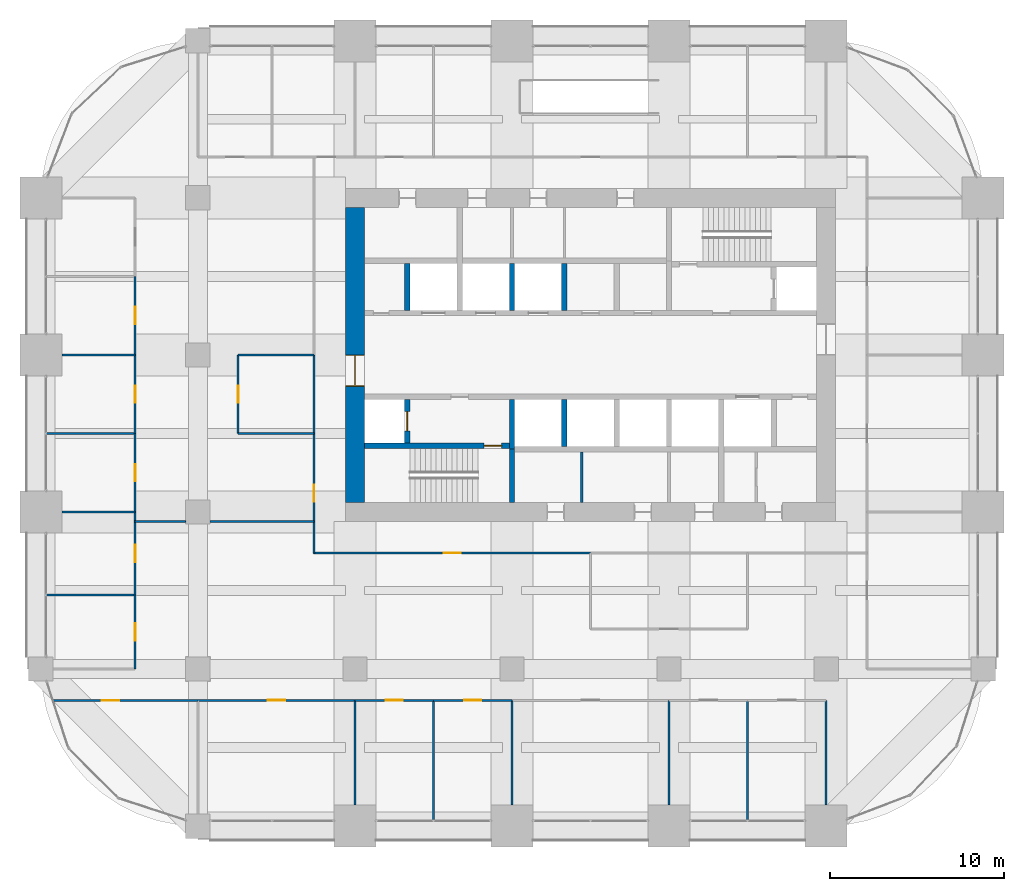
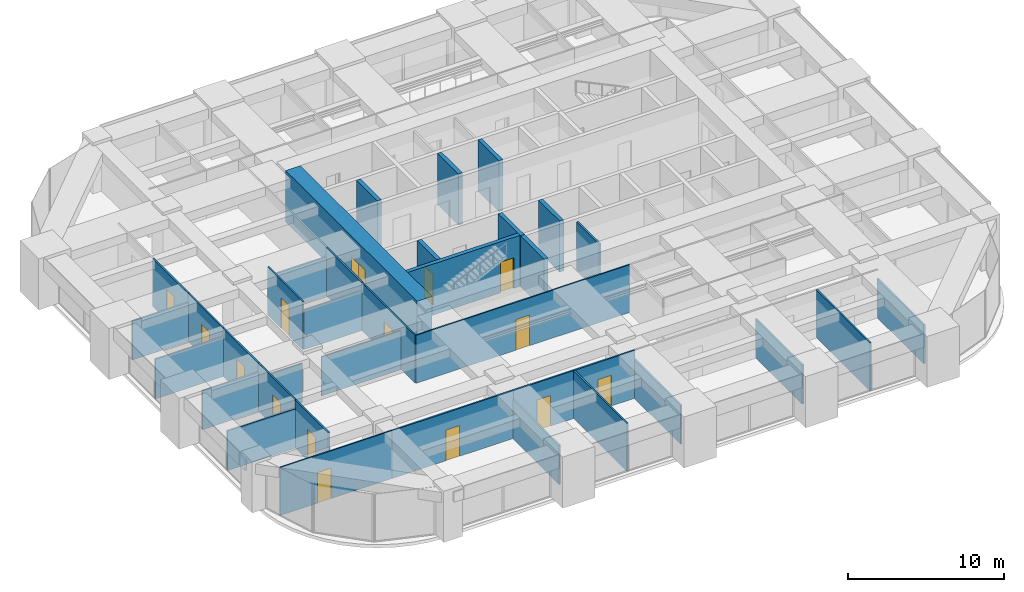
# One storey, part 30 of 35: 37 walls, 15 doors, 15 openings.
"""IFC4 building model written with IfcOpenShell, lengths in metres."""

from ifc_helpers import new_model, si_unit, direction, frame, frame_2d, origin, place, context, subcontext, project, spatial, rectangle, extrude, material, layer, layer_set, type_object, element, fill, save


model = new_model("IFC4")

# Units and contexts
model_context = context("Model", 3, precision=1e-05, world=origin(), true_north=direction((0.0, 1.0)))
body_context = subcontext(model_context, "Body", "Model", "MODEL_VIEW")
ifc_project = project(units=[si_unit("LENGTHUNIT", "METRE"), si_unit("AREAUNIT", "SQUARE_METRE"), si_unit("VOLUMEUNIT", "CUBIC_METRE"), si_unit("PLANEANGLEUNIT", "RADIAN"), si_unit("MASSUNIT", "GRAM", prefix="KILO")], contexts=[model_context])

# Site, building, storey
site_placement = place(None, origin())
site = spatial("IfcSite", under=ifc_project, at=site_placement, CompositionType="ELEMENT")
building_placement = place(site_placement, origin())
building = spatial("IfcBuilding", under=site, at=building_placement, Name="Zorevar Civic Tower", CompositionType="ELEMENT")
storey_placement = place(building_placement, frame((0.0, 0.0, 218.199951171875)))
storey = spatial("IfcBuildingStorey", under=building, at=storey_placement, Name="L53", CompositionType="ELEMENT", Elevation=218.199951171875)

# Wall, opening, door
ifc_material_1 = material(Name="Concrete C50/60", Category="concrete")
ifc_layer_1 = layer(ifc_material_1, 1.10009765625)
ifc_layer_set_1 = layer_set([ifc_layer_1], Name="Core wall 1100")
wall_type_1 = type_object("IfcWallType", Name="Core wall 1100", PredefinedType="SHEAR", material=ifc_layer_set_1)
wall_1_placement = place(storey_placement, frame((18.0, 35.449951171875, 0.0), z_axis=(0.0, 0.0, 1.0), x_axis=(0.0, -1.0, 0.0)))
wall_1 = element("IfcWall", 1, at=wall_1_placement, inside=storey, type_object=wall_type_1, Name="Core wall W L53", PredefinedType="SHEAR", context=body_context, shape_type="SweptSolid", body=[
    extrude(rectangle(XDim=16.89990234375, YDim=1.10009765625, at=frame_2d((8.449951171875, 0.0))), origin(), (0.0, 0.0, 1.0), 4.0),
])
opening_1_placement = place(wall_1_placement, frame((8.449951171875, 0.0, 0.0)))
opening_1 = element("IfcOpeningElement", 2, at=opening_1_placement, cuts=wall_1, Name="Opening L53.01", PredefinedType="OPENING", context=body_context, shape_type="SweptSolid", body=[
    extrude(rectangle(XDim=1.800048828125, YDim=2.39990234375, at=frame_2d((0.89990234375, 1.199951171875))), frame((0.0, 0.56005859375, 0.0), z_axis=(0.0, -1.0, 0.0), x_axis=(1.0, 0.0, 0.0)), (0.0, 0.0, 1.0), 1.1201171875),
])
ifc_material_2 = material(Name="Steel door set", Category="steel")
door_type_1 = type_object("IfcDoorType", Name="Fire door FD2 1800x2400", OperationType="DOUBLE_DOOR_DOUBLE_SWING", PredefinedType="DOOR", material=ifc_material_2)
door_1_placement = place(opening_1_placement, origin())
door_1 = element("IfcDoor", 3, at=door_1_placement, inside=storey, type_object=door_type_1, Name="Door L53 00", OperationType="DOUBLE_DOOR_DOUBLE_SWING", OverallHeight=2.39990234375, OverallWidth=1.800048828125, PredefinedType="DOOR", context=body_context, shape_type="SweptSolid", body=[
    extrude(rectangle(XDim=1.800048828125, YDim=2.39990234375, at=frame_2d((0.89990234375, 1.199951171875))), frame((0.0, 0.030029296875, 0.0), z_axis=(0.0, -1.0, 0.0), x_axis=(1.0, 0.0, 0.0)), (0.0, 0.0, 1.0), 0.06005859375),
    extrude(rectangle(XDim=0.04, YDim=2.39990234375, at=frame_2d((0.02001953125, 1.199951171875))), frame((0.0, 0.5498046875, 0.0), z_axis=(0.0, -1.0, 0.0), x_axis=(1.0, 0.0, 0.0)), (0.0, 0.0, 1.0), 1.099609375),
    extrude(rectangle(XDim=0.04, YDim=2.39990234375, at=frame_2d((1.780029296875, 1.199951171875))), frame((0.0, 0.5498046875, 0.0), z_axis=(0.0, -1.0, 0.0), x_axis=(1.0, 0.0, 0.0)), (0.0, 0.0, 1.0), 1.099609375),
    extrude(rectangle(XDim=1.800048828125, YDim=0.04, at=frame_2d((0.89990234375, 2.3798828125))), frame((0.0, 0.5498046875, 0.0), z_axis=(0.0, -1.0, 0.0), x_axis=(1.0, 0.0, 0.0)), (0.0, 0.0, 1.0), 1.099609375),
])
fill(opening_1, door_1)

ifc_material_3 = material(Name="Laminated glass in black aluminium frame", Category="aluminium")
ifc_layer_2 = layer(ifc_material_3, 0.10009765625)
ifc_layer_set_2 = layer_set([ifc_layer_2], Name="Glazed partition 100")
wall_type_2 = type_object("IfcWallType", Name="Glazed partition 100", PredefinedType="PARTITIONING", material=ifc_layer_set_2)
wall_2_placement = place(storey_placement, frame((0.720458984375, 7.199951171875, 0.0), z_axis=(0.0, 0.0, 1.0), x_axis=(1.0, 0.0, 0.0)))
wall_2 = element("IfcWall", 4, at=wall_2_placement, inside=storey, type_object=wall_type_2, Name="Glazed partition 100 L53", PredefinedType="PARTITIONING", context=body_context, shape_type="SweptSolid", body=[
    extrude(rectangle(XDim=8.279541015625, YDim=0.10009765625, at=frame_2d((4.1396484375, 0.0))), origin(), (0.0, 0.0, 1.0), 3.75),
])
opening_2_placement = place(wall_2_placement, frame((2.779541015625, 0.0, 0.0)))
opening_2 = element("IfcOpeningElement", 5, at=opening_2_placement, cuts=wall_2, Name="Opening L53.23", PredefinedType="OPENING", context=body_context, shape_type="SweptSolid", body=[
    extrude(rectangle(XDim=1.0, YDim=2.39990234375, at=frame_2d((0.5, 1.199951171875))), frame((0.0, 0.06005859375, 0.0), z_axis=(0.0, -1.0, 0.0), x_axis=(1.0, 0.0, 0.0)), (0.0, 0.0, 1.0), 0.1201171875),
])
ifc_material_4 = material(Name="Timber door set", Category="wood")
door_type_2 = type_object("IfcDoorType", Name="Glazed door GD1 1000x2400", OperationType="SINGLE_SWING_LEFT", PredefinedType="DOOR", material=ifc_material_4)
door_2_placement = place(opening_2_placement, origin())
door_2 = element("IfcDoor", 6, at=door_2_placement, inside=storey, type_object=door_type_2, Name="Door L53 D1", OperationType="SINGLE_SWING_RIGHT", OverallHeight=2.39990234375, OverallWidth=1.0, PredefinedType="DOOR", context=body_context, shape_type="SweptSolid", body=[
    extrude(rectangle(XDim=1.0, YDim=2.39990234375, at=frame_2d((0.5, 1.199951171875))), frame((0.0, 0.02001953125, 0.0), z_axis=(0.0, -1.0, 0.0), x_axis=(1.0, 0.0, 0.0)), (0.0, 0.0, 1.0), 0.0400390625),
])
fill(opening_2, door_2)

wall_3_placement = place(storey_placement, frame((15.64990234375, 15.64990234375, 0.0), z_axis=(0.0, 0.0, 1.0), x_axis=(1.0, 0.0, 0.0)))
wall_3 = element("IfcWall", 7, at=wall_3_placement, inside=storey, type_object=wall_type_2, Name="Glazed partition 100 L53", PredefinedType="PARTITIONING", context=body_context, shape_type="SweptSolid", body=[
    extrude(rectangle(XDim=15.85009765625, YDim=0.10009765625, at=frame_2d((7.925048828125, 0.0))), origin(), (0.0, 0.0, 1.0), 3.75),
])
opening_3_placement = place(wall_3_placement, frame((7.425048828125, 0.0, 0.0)))
opening_3 = element("IfcOpeningElement", 8, at=opening_3_placement, cuts=wall_3, Name="Opening L53.25", PredefinedType="OPENING", context=body_context, shape_type="SweptSolid", body=[
    extrude(rectangle(XDim=1.0, YDim=2.39990234375, at=frame_2d((0.5, 1.199951171875))), frame((0.0, 0.06005859375, 0.0), z_axis=(0.0, -1.0, 0.0), x_axis=(1.0, 0.0, 0.0)), (0.0, 0.0, 1.0), 0.1201171875),
])
door_3_placement = place(opening_3_placement, origin())
door_3 = element("IfcDoor", 9, at=door_3_placement, inside=storey, type_object=door_type_2, Name="Door L53 D1", OperationType="SINGLE_SWING_RIGHT", OverallHeight=2.39990234375, OverallWidth=1.0, PredefinedType="DOOR", context=body_context, shape_type="SweptSolid", body=[
    extrude(rectangle(XDim=1.0, YDim=2.39990234375, at=frame_2d((0.5, 1.199951171875))), frame((0.0, 0.02001953125, 0.0), z_axis=(0.0, -1.0, 0.0), x_axis=(1.0, 0.0, 0.0)), (0.0, 0.0, 1.0), 0.0400390625),
])
fill(opening_3, door_3)

# Walls
wall_4_placement = place(storey_placement, frame((5.389892578125, 17.449951171875, 0.0), z_axis=(0.0, 0.0, 1.0), x_axis=(1.0, 0.0, 0.0)))
element("IfcWall", 10, at=wall_4_placement, inside=storey, type_object=wall_type_2, Name="Glazed partition 100 L53", PredefinedType="PARTITIONING", context=body_context, shape_type="SweptSolid", body=[
    extrude(rectangle(XDim=2.91015625, YDim=0.10009765625, at=frame_2d((1.455078125, 0.0))), origin(), (0.0, 0.0, 1.0), 3.050048828125),
])
wall_5_placement = place(storey_placement, frame((9.699951171875, 17.449951171875, 0.0), z_axis=(0.0, 0.0, 1.0), x_axis=(1.0, 0.0, 0.0)))
element("IfcWall", 11, at=wall_5_placement, inside=storey, type_object=wall_type_2, Name="Glazed partition 100 L53", PredefinedType="PARTITIONING", context=body_context, shape_type="SweptSolid", body=[
    extrude(rectangle(XDim=5.949951171875, YDim=0.10009765625, at=frame_2d((2.97509765625, 0.0))), origin(), (0.0, 0.0, 1.0), 3.050048828125),
])

# Wall, opening, door
wall_6_placement = place(storey_placement, frame((15.64990234375, 15.64990234375, 0.0), z_axis=(0.0, 0.0, 1.0), x_axis=(0.0, 1.0, 0.0)))
wall_6 = element("IfcWall", 12, at=wall_6_placement, inside=storey, type_object=wall_type_2, Name="Glazed partition 100 L53", PredefinedType="PARTITIONING", context=body_context, shape_type="SweptSolid", body=[
    extrude(rectangle(XDim=6.85009765625, YDim=0.10009765625, at=frame_2d((3.425048828125, 0.0))), origin(), (0.0, 0.0, 1.0), 3.75),
])
opening_4_placement = place(wall_6_placement, frame((2.925048828125, 0.0, 0.0)))
opening_4 = element("IfcOpeningElement", 13, at=opening_4_placement, cuts=wall_6, Name="Opening L53.39", PredefinedType="OPENING", context=body_context, shape_type="SweptSolid", body=[
    extrude(rectangle(XDim=1.0, YDim=2.39990234375, at=frame_2d((0.5, 1.199951171875))), frame((0.0, 0.06005859375, 0.0), z_axis=(0.0, -1.0, 0.0), x_axis=(1.0, 0.0, 0.0)), (0.0, 0.0, 1.0), 0.1201171875),
])
door_4_placement = place(opening_4_placement, origin())
door_4 = element("IfcDoor", 14, at=door_4_placement, inside=storey, type_object=door_type_2, Name="Door L53 D1", OperationType="SINGLE_SWING_RIGHT", OverallHeight=2.39990234375, OverallWidth=1.0, PredefinedType="DOOR", context=body_context, shape_type="SweptSolid", body=[
    extrude(rectangle(XDim=1.0, YDim=2.39990234375, at=frame_2d((0.5, 1.199951171875))), frame((0.0, 0.02001953125, 0.0), z_axis=(0.0, -1.0, 0.0), x_axis=(1.0, 0.0, 0.0)), (0.0, 0.0, 1.0), 0.0400390625),
])
fill(opening_4, door_4)

ifc_material_5 = material(Name="Concrete C40/50", Category="concrete")
ifc_layer_3 = layer(ifc_material_5, 0.300048828125)
ifc_layer_set_3 = layer_set([ifc_layer_3], Name="Inner core wall 300")
wall_type_3 = type_object("IfcWallType", Name="Inner core wall 300", PredefinedType="SHEAR", material=ifc_layer_set_3)
wall_7_placement = place(storey_placement, frame((18.550048828125, 21.800048828125, 0.0), z_axis=(0.0, 0.0, 1.0), x_axis=(1.0, 0.0, 0.0)))
wall_7 = element("IfcWall", 15, at=wall_7_placement, inside=storey, type_object=wall_type_3, Name="Inner core wall S00 L53", PredefinedType="SHEAR", context=body_context, shape_type="SweptSolid", body=[
    extrude(rectangle(XDim=8.300048828125, YDim=0.300048828125, at=frame_2d((4.14990234375, 0.0))), origin(), (0.0, 0.0, 1.0), 4.0),
])
opening_5_placement = place(wall_7_placement, frame((6.85009765625, 0.0, 0.0)))
opening_5 = element("IfcOpeningElement", 16, at=opening_5_placement, cuts=wall_7, Name="Opening L53.11", PredefinedType="OPENING", context=body_context, shape_type="SweptSolid", body=[
    extrude(rectangle(XDim=1.0, YDim=2.39990234375, at=frame_2d((0.5, 1.199951171875))), frame((0.0, 0.159912109375, 0.0), z_axis=(0.0, -1.0, 0.0), x_axis=(1.0, 0.0, 0.0)), (0.0, 0.0, 1.0), 0.320068359375),
])
ifc_material_6 = material(Name="Steel door set", Category="steel")
door_type_3 = type_object("IfcDoorType", Name="Fire door FD1 1000x2400", OperationType="SINGLE_SWING_LEFT", PredefinedType="DOOR", material=ifc_material_6)
door_5_placement = place(opening_5_placement, origin())
door_5 = element("IfcDoor", 17, at=door_5_placement, inside=storey, type_object=door_type_3, Name="Door L53 10", OperationType="SINGLE_SWING_RIGHT", OverallHeight=2.39990234375, OverallWidth=1.0, PredefinedType="DOOR", context=body_context, shape_type="SweptSolid", body=[
    extrude(rectangle(XDim=1.0, YDim=2.39990234375, at=frame_2d((0.5, 1.199951171875))), frame((0.0, 0.030029296875, 0.0), z_axis=(0.0, -1.0, 0.0), x_axis=(1.0, 0.0, 0.0)), (0.0, 0.0, 1.0), 0.06005859375),
])
fill(opening_5, door_5)

# Wall
wall_8_placement = place(storey_placement, frame((27.0, 18.550048828125, 0.0), z_axis=(0.0, 0.0, 1.0), x_axis=(0.0, 1.0, 0.0)))
element("IfcWall", 18, at=wall_8_placement, inside=storey, type_object=wall_type_3, Name="Inner core wall S01 L53", PredefinedType="SHEAR", context=body_context, shape_type="SweptSolid", body=[
    extrude(rectangle(XDim=3.050048828125, YDim=0.300048828125, at=frame_2d((1.52490234375, 0.0))), origin(), (0.0, 0.0, 1.0), 4.0),
])

# Wall, opening, door
wall_9_placement = place(storey_placement, frame((21.0, 21.949951171875, 0.0), z_axis=(0.0, 0.0, 1.0), x_axis=(0.0, 1.0, 0.0)))
wall_9 = element("IfcWall", 19, at=wall_9_placement, inside=storey, type_object=wall_type_3, Name="Inner core wall S02 L53", PredefinedType="SHEAR", context=body_context, shape_type="SweptSolid", body=[
    extrude(rectangle(XDim=2.5, YDim=0.300048828125, at=frame_2d((1.25, 0.0))), origin(), (0.0, 0.0, 1.0), 4.0),
])
opening_6_placement = place(wall_9_placement, frame((0.699951171875, 0.0, 0.0)))
opening_6 = element("IfcOpeningElement", 20, at=opening_6_placement, cuts=wall_9, Name="Opening L53.FL1", PredefinedType="OPENING", context=body_context, shape_type="SweptSolid", body=[
    extrude(rectangle(XDim=1.10009765625, YDim=2.39990234375, at=frame_2d((0.550048828125, 1.199951171875))), frame((0.0, 0.159912109375, 0.0), z_axis=(0.0, -1.0, 0.0), x_axis=(1.0, 0.0, 0.0)), (0.0, 0.0, 1.0), 0.320068359375),
])
ifc_material_7 = material(Name="Steel door set", Category="steel")
door_type_4 = type_object("IfcDoorType", Name="Firefighting lift landing door LD3 1100x2400", OperationType="DOUBLE_DOOR_SLIDING", PredefinedType="DOOR", material=ifc_material_7)
door_6_placement = place(opening_6_placement, origin())
door_6 = element("IfcDoor", 21, at=door_6_placement, inside=storey, type_object=door_type_4, Name="Landing door FL1 L53", OperationType="DOUBLE_DOOR_SLIDING", OverallHeight=2.39990234375, OverallWidth=1.10009765625, PredefinedType="DOOR", context=body_context, shape_type="SweptSolid", body=[
    extrude(rectangle(XDim=1.10009765625, YDim=2.39990234375, at=frame_2d((0.550048828125, 1.199951171875))), frame((0.0, 0.030029296875, 0.0), z_axis=(0.0, -1.0, 0.0), x_axis=(1.0, 0.0, 0.0)), (0.0, 0.0, 1.0), 0.06005859375),
])
fill(opening_6, door_6)

# Walls
for number, where, z_axis, x_axis, name in (
    (22, (30.0, 21.75, 0.0), (0.0, 0.0, 1.0), (0.0, 1.0, 0.0), "Inner core wall S05 L53"),
    (23, (30.0, 29.550048828125, 0.0), (0.0, 0.0, 1.0), (0.0, 1.0, 0.0), "Inner core wall N06 L53"),
    (24, (27.0, 29.550048828125, 0.0), (0.0, 0.0, 1.0), (0.0, 1.0, 0.0), "Inner core wall N07 L53"),
    (25, (21.0, 29.550048828125, 0.0), (0.0, 0.0, 1.0), (0.0, 1.0, 0.0), "Inner core wall N09 L53"),
):
    element("IfcWall", number, at=place(storey_placement, frame(where, z_axis=z_axis, x_axis=x_axis)), inside=storey, type_object=wall_type_3, Name=name, PredefinedType="SHEAR", context=body_context, shape_type="SweptSolid", body=[
        extrude(rectangle(XDim=2.699951171875, YDim=0.300048828125, at=frame_2d((1.35009765625, 0.0))), origin(), (0.0, 0.0, 1.0), 4.0),
    ])
wall_10_placement = place(storey_placement, frame((27.0, 21.60009765625, 0.0), z_axis=(0.0, 0.0, 1.0), x_axis=(0.0, 1.0, 0.0)))
element("IfcWall", 26, at=wall_10_placement, inside=storey, type_object=wall_type_3, Name="Inner core wall S10 L53", PredefinedType="SHEAR", context=body_context, shape_type="SweptSolid", body=[
    extrude(rectangle(XDim=2.849853515625, YDim=0.300048828125, at=frame_2d((1.4248046875, 0.0))), origin(), (0.0, 0.0, 1.0), 4.0),
])

# Wall, opening, door
ifc_material_8 = material(Name="Gypsum board on steel studs", Category="steel")
ifc_layer_4 = layer(ifc_material_8, 0.1201171875)
ifc_layer_set_4 = layer_set([ifc_layer_4], Name="Partition 120")
wall_type_4 = type_object("IfcWallType", Name="Partition 120", PredefinedType="PARTITIONING", material=ifc_layer_set_4)
wall_11_placement = place(storey_placement, frame((9.0, 7.199951171875, 0.0), z_axis=(0.0, 0.0, 1.0), x_axis=(1.0, 0.0, 0.0)))
wall_11 = element("IfcWall", 27, at=wall_11_placement, inside=storey, type_object=wall_type_4, Name="Partition 120 L53", PredefinedType="PARTITIONING", context=body_context, shape_type="SweptSolid", body=[
    extrude(rectangle(XDim=9.0, YDim=0.1201171875, at=frame_2d((4.5, 0.0))), origin(), (0.0, 0.0, 1.0), 3.75),
])
opening_7_placement = place(wall_11_placement, frame((4.0, 0.0, 0.0)))
opening_7 = element("IfcOpeningElement", 28, at=opening_7_placement, cuts=wall_11, Name="Opening L53.17", PredefinedType="OPENING", context=body_context, shape_type="SweptSolid", body=[
    extrude(rectangle(XDim=1.0, YDim=2.39990234375, at=frame_2d((0.5, 1.199951171875))), frame((0.0, 0.070068359375, 0.0), z_axis=(0.0, -1.0, 0.0), x_axis=(1.0, 0.0, 0.0)), (0.0, 0.0, 1.0), 0.14013671875),
])
ifc_material_9 = material(Name="Timber door set", Category="wood")
door_type_5 = type_object("IfcDoorType", Name="Door D1 1000x2400", OperationType="SINGLE_SWING_LEFT", PredefinedType="DOOR", material=ifc_material_9)
door_7_placement = place(opening_7_placement, origin())
door_7 = element("IfcDoor", 29, at=door_7_placement, inside=storey, type_object=door_type_5, Name="Door L53 D1", OperationType="SINGLE_SWING_RIGHT", OverallHeight=2.39990234375, OverallWidth=1.0, PredefinedType="DOOR", context=body_context, shape_type="SweptSolid", body=[
    extrude(rectangle(XDim=1.0, YDim=2.39990234375, at=frame_2d((0.5, 1.199951171875))), frame((0.0, 0.02490234375, 0.0), z_axis=(0.0, -1.0, 0.0), x_axis=(1.0, 0.0, 0.0)), (0.0, 0.0, 1.0), 0.050048828125),
])
fill(opening_7, door_7)

wall_12_placement = place(storey_placement, frame((18.0, 7.199951171875, 0.0), z_axis=(0.0, 0.0, 1.0), x_axis=(1.0, 0.0, 0.0)))
wall_12 = element("IfcWall", 30, at=wall_12_placement, inside=storey, type_object=wall_type_4, Name="Partition 120 L53", PredefinedType="PARTITIONING", context=body_context, shape_type="SweptSolid", body=[
    extrude(rectangle(XDim=4.5, YDim=0.1201171875, at=frame_2d((2.25, 0.0))), origin(), (0.0, 0.0, 1.0), 3.75),
])
opening_8_placement = place(wall_12_placement, frame((1.75, 0.0, 0.0)))
opening_8 = element("IfcOpeningElement", 31, at=opening_8_placement, cuts=wall_12, Name="Opening L53.18", PredefinedType="OPENING", context=body_context, shape_type="SweptSolid", body=[
    extrude(rectangle(XDim=1.0, YDim=2.39990234375, at=frame_2d((0.5, 1.199951171875))), frame((0.0, 0.070068359375, 0.0), z_axis=(0.0, -1.0, 0.0), x_axis=(1.0, 0.0, 0.0)), (0.0, 0.0, 1.0), 0.14013671875),
])
door_8_placement = place(opening_8_placement, origin())
door_8 = element("IfcDoor", 32, at=door_8_placement, inside=storey, type_object=door_type_5, Name="Door L53 D1", OperationType="SINGLE_SWING_RIGHT", OverallHeight=2.39990234375, OverallWidth=1.0, PredefinedType="DOOR", context=body_context, shape_type="SweptSolid", body=[
    extrude(rectangle(XDim=1.0, YDim=2.39990234375, at=frame_2d((0.5, 1.199951171875))), frame((0.0, 0.02490234375, 0.0), z_axis=(0.0, -1.0, 0.0), x_axis=(1.0, 0.0, 0.0)), (0.0, 0.0, 1.0), 0.050048828125),
])
fill(opening_8, door_8)

wall_13_placement = place(storey_placement, frame((22.5, 7.199951171875, 0.0), z_axis=(0.0, 0.0, 1.0), x_axis=(1.0, 0.0, 0.0)))
wall_13 = element("IfcWall", 33, at=wall_13_placement, inside=storey, type_object=wall_type_4, Name="Partition 120 L53", PredefinedType="PARTITIONING", context=body_context, shape_type="SweptSolid", body=[
    extrude(rectangle(XDim=4.5, YDim=0.1201171875, at=frame_2d((2.25, 0.0))), origin(), (0.0, 0.0, 1.0), 3.75),
])
opening_9_placement = place(wall_13_placement, frame((1.75, 0.0, 0.0)))
opening_9 = element("IfcOpeningElement", 34, at=opening_9_placement, cuts=wall_13, Name="Opening L53.19", PredefinedType="OPENING", context=body_context, shape_type="SweptSolid", body=[
    extrude(rectangle(XDim=1.0, YDim=2.39990234375, at=frame_2d((0.5, 1.199951171875))), frame((0.0, 0.070068359375, 0.0), z_axis=(0.0, -1.0, 0.0), x_axis=(1.0, 0.0, 0.0)), (0.0, 0.0, 1.0), 0.14013671875),
])
door_9_placement = place(opening_9_placement, origin())
door_9 = element("IfcDoor", 35, at=door_9_placement, inside=storey, type_object=door_type_5, Name="Door L53 D1", OperationType="SINGLE_SWING_RIGHT", OverallHeight=2.39990234375, OverallWidth=1.0, PredefinedType="DOOR", context=body_context, shape_type="SweptSolid", body=[
    extrude(rectangle(XDim=1.0, YDim=2.39990234375, at=frame_2d((0.5, 1.199951171875))), frame((0.0, 0.02490234375, 0.0), z_axis=(0.0, -1.0, 0.0), x_axis=(1.0, 0.0, 0.0)), (0.0, 0.0, 1.0), 0.050048828125),
])
fill(opening_9, door_9)

# Walls
wall_14_placement = place(storey_placement, frame((0.31005859375, 13.25, 0.0), z_axis=(0.0, 0.0, 1.0), x_axis=(1.0, 0.0, 0.0)))
element("IfcWall", 36, at=wall_14_placement, inside=storey, type_object=wall_type_4, Name="Partition 120 L53", PredefinedType="PARTITIONING", context=body_context, shape_type="SweptSolid", body=[
    extrude(rectangle(XDim=5.08984375, YDim=0.1201171875, at=frame_2d((2.544921875, 0.0))), origin(), (0.0, 0.0, 1.0), 3.10009765625),
])
wall_15_placement = place(storey_placement, frame((1.199951171875, 18.0, 0.0), z_axis=(0.0, 0.0, 1.0), x_axis=(1.0, 0.0, 0.0)))
element("IfcWall", 37, at=wall_15_placement, inside=storey, type_object=wall_type_4, Name="Partition 120 L53", PredefinedType="PARTITIONING", context=body_context, shape_type="SweptSolid", body=[
    extrude(rectangle(XDim=4.199951171875, YDim=0.1201171875, at=frame_2d((2.10009765625, 0.0))), origin(), (0.0, 0.0, 1.0), 3.050048828125),
])
wall_16_placement = place(storey_placement, frame((0.31005859375, 22.5, 0.0), z_axis=(0.0, 0.0, 1.0), x_axis=(1.0, 0.0, 0.0)))
element("IfcWall", 38, at=wall_16_placement, inside=storey, type_object=wall_type_4, Name="Partition 120 L53", PredefinedType="PARTITIONING", context=body_context, shape_type="SweptSolid", body=[
    extrude(rectangle(XDim=5.08984375, YDim=0.1201171875, at=frame_2d((2.544921875, 0.0))), origin(), (0.0, 0.0, 1.0), 3.10009765625),
])
wall_17_placement = place(storey_placement, frame((11.300048828125, 22.5, 0.0), z_axis=(0.0, 0.0, 1.0), x_axis=(1.0, 0.0, 0.0)))
element("IfcWall", 39, at=wall_17_placement, inside=storey, type_object=wall_type_4, Name="Partition 120 L53", PredefinedType="PARTITIONING", context=body_context, shape_type="SweptSolid", body=[
    extrude(rectangle(XDim=4.349853515625, YDim=0.1201171875, at=frame_2d((2.1748046875, 0.0))), origin(), (0.0, 0.0, 1.0), 3.10009765625),
])
wall_18_placement = place(storey_placement, frame((1.199951171875, 27.0, 0.0), z_axis=(0.0, 0.0, 1.0), x_axis=(1.0, 0.0, 0.0)))
element("IfcWall", 40, at=wall_18_placement, inside=storey, type_object=wall_type_4, Name="Partition 120 L53", PredefinedType="PARTITIONING", context=body_context, shape_type="SweptSolid", body=[
    extrude(rectangle(XDim=4.199951171875, YDim=0.1201171875, at=frame_2d((2.10009765625, 0.0))), origin(), (0.0, 0.0, 1.0), 3.050048828125),
])
wall_19_placement = place(storey_placement, frame((11.300048828125, 27.0, 0.0), z_axis=(0.0, 0.0, 1.0), x_axis=(1.0, 0.0, 0.0)))
element("IfcWall", 41, at=wall_19_placement, inside=storey, type_object=wall_type_4, Name="Partition 120 L53", PredefinedType="PARTITIONING", context=body_context, shape_type="SweptSolid", body=[
    extrude(rectangle(XDim=4.349853515625, YDim=0.1201171875, at=frame_2d((2.1748046875, 0.0))), origin(), (0.0, 0.0, 1.0), 3.050048828125),
])

# Wall, opening, door
wall_20_placement = place(storey_placement, frame((5.39990234375, 9.0, 0.0), z_axis=(0.0, 0.0, 1.0), x_axis=(0.0, 1.0, 0.0)))
wall_20 = element("IfcWall", 42, at=wall_20_placement, inside=storey, type_object=wall_type_4, Name="Partition 120 L53", PredefinedType="PARTITIONING", context=body_context, shape_type="SweptSolid", body=[
    extrude(rectangle(XDim=4.25, YDim=0.1201171875, at=frame_2d((2.125, 0.0))), origin(), (0.0, 0.0, 1.0), 3.75),
])
opening_10_placement = place(wall_20_placement, frame((1.625, 0.0, 0.0)))
opening_10 = element("IfcOpeningElement", 43, at=opening_10_placement, cuts=wall_20, Name="Opening L53.32", PredefinedType="OPENING", context=body_context, shape_type="SweptSolid", body=[
    extrude(rectangle(XDim=1.0, YDim=2.39990234375, at=frame_2d((0.5, 1.199951171875))), frame((0.0, 0.070068359375, 0.0), z_axis=(0.0, -1.0, 0.0), x_axis=(1.0, 0.0, 0.0)), (0.0, 0.0, 1.0), 0.14013671875),
])
door_10_placement = place(opening_10_placement, origin())
door_10 = element("IfcDoor", 44, at=door_10_placement, inside=storey, type_object=door_type_5, Name="Door L53 D1", OperationType="SINGLE_SWING_LEFT", OverallHeight=2.39990234375, OverallWidth=1.0, PredefinedType="DOOR", context=body_context, shape_type="SweptSolid", body=[
    extrude(rectangle(XDim=1.0, YDim=2.39990234375, at=frame_2d((0.5, 1.199951171875))), frame((0.0, 0.02490234375, 0.0), z_axis=(0.0, -1.0, 0.0), x_axis=(1.0, 0.0, 0.0)), (0.0, 0.0, 1.0), 0.050048828125),
])
fill(opening_10, door_10)

wall_21_placement = place(storey_placement, frame((5.39990234375, 13.25, 0.0), z_axis=(0.0, 0.0, 1.0), x_axis=(0.0, 1.0, 0.0)))
wall_21 = element("IfcWall", 45, at=wall_21_placement, inside=storey, type_object=wall_type_4, Name="Partition 120 L53", PredefinedType="PARTITIONING", context=body_context, shape_type="SweptSolid", body=[
    extrude(rectangle(XDim=4.75, YDim=0.1201171875, at=frame_2d((2.375, 0.0))), origin(), (0.0, 0.0, 1.0), 3.75),
])
opening_11_placement = place(wall_21_placement, frame((1.875, 0.0, 0.0)))
opening_11 = element("IfcOpeningElement", 46, at=opening_11_placement, cuts=wall_21, Name="Opening L53.33", PredefinedType="OPENING", context=body_context, shape_type="SweptSolid", body=[
    extrude(rectangle(XDim=1.0, YDim=2.39990234375, at=frame_2d((0.5, 1.199951171875))), frame((0.0, 0.070068359375, 0.0), z_axis=(0.0, -1.0, 0.0), x_axis=(1.0, 0.0, 0.0)), (0.0, 0.0, 1.0), 0.14013671875),
])
door_11_placement = place(opening_11_placement, origin())
door_11 = element("IfcDoor", 47, at=door_11_placement, inside=storey, type_object=door_type_5, Name="Door L53 D1", OperationType="SINGLE_SWING_RIGHT", OverallHeight=2.39990234375, OverallWidth=1.0, PredefinedType="DOOR", context=body_context, shape_type="SweptSolid", body=[
    extrude(rectangle(XDim=1.0, YDim=2.39990234375, at=frame_2d((0.5, 1.199951171875))), frame((0.0, 0.02490234375, 0.0), z_axis=(0.0, -1.0, 0.0), x_axis=(1.0, 0.0, 0.0)), (0.0, 0.0, 1.0), 0.050048828125),
])
fill(opening_11, door_11)

wall_22_placement = place(storey_placement, frame((5.39990234375, 18.0, 0.0), z_axis=(0.0, 0.0, 1.0), x_axis=(0.0, 1.0, 0.0)))
wall_22 = element("IfcWall", 48, at=wall_22_placement, inside=storey, type_object=wall_type_4, Name="Partition 120 L53", PredefinedType="PARTITIONING", context=body_context, shape_type="SweptSolid", body=[
    extrude(rectangle(XDim=4.5, YDim=0.1201171875, at=frame_2d((2.25, 0.0))), origin(), (0.0, 0.0, 1.0), 3.75),
])
opening_12_placement = place(wall_22_placement, frame((1.75, 0.0, 0.0)))
opening_12 = element("IfcOpeningElement", 49, at=opening_12_placement, cuts=wall_22, Name="Opening L53.34", PredefinedType="OPENING", context=body_context, shape_type="SweptSolid", body=[
    extrude(rectangle(XDim=1.0, YDim=2.39990234375, at=frame_2d((0.5, 1.199951171875))), frame((0.0, 0.070068359375, 0.0), z_axis=(0.0, -1.0, 0.0), x_axis=(1.0, 0.0, 0.0)), (0.0, 0.0, 1.0), 0.14013671875),
])
door_12_placement = place(opening_12_placement, origin())
door_12 = element("IfcDoor", 50, at=door_12_placement, inside=storey, type_object=door_type_5, Name="Door L53 D1", OperationType="SINGLE_SWING_LEFT", OverallHeight=2.39990234375, OverallWidth=1.0, PredefinedType="DOOR", context=body_context, shape_type="SweptSolid", body=[
    extrude(rectangle(XDim=1.0, YDim=2.39990234375, at=frame_2d((0.5, 1.199951171875))), frame((0.0, 0.02490234375, 0.0), z_axis=(0.0, -1.0, 0.0), x_axis=(1.0, 0.0, 0.0)), (0.0, 0.0, 1.0), 0.050048828125),
])
fill(opening_12, door_12)

wall_23_placement = place(storey_placement, frame((5.39990234375, 22.5, 0.0), z_axis=(0.0, 0.0, 1.0), x_axis=(0.0, 1.0, 0.0)))
wall_23 = element("IfcWall", 51, at=wall_23_placement, inside=storey, type_object=wall_type_4, Name="Partition 120 L53", PredefinedType="PARTITIONING", context=body_context, shape_type="SweptSolid", body=[
    extrude(rectangle(XDim=4.5, YDim=0.1201171875, at=frame_2d((2.25, 0.0))), origin(), (0.0, 0.0, 1.0), 3.75),
])
opening_13_placement = place(wall_23_placement, frame((1.75, 0.0, 0.0)))
opening_13 = element("IfcOpeningElement", 52, at=opening_13_placement, cuts=wall_23, Name="Opening L53.35", PredefinedType="OPENING", context=body_context, shape_type="SweptSolid", body=[
    extrude(rectangle(XDim=1.0, YDim=2.39990234375, at=frame_2d((0.5, 1.199951171875))), frame((0.0, 0.070068359375, 0.0), z_axis=(0.0, -1.0, 0.0), x_axis=(1.0, 0.0, 0.0)), (0.0, 0.0, 1.0), 0.14013671875),
])
door_13_placement = place(opening_13_placement, origin())
door_13 = element("IfcDoor", 53, at=door_13_placement, inside=storey, type_object=door_type_5, Name="Door L53 D1", OperationType="SINGLE_SWING_LEFT", OverallHeight=2.39990234375, OverallWidth=1.0, PredefinedType="DOOR", context=body_context, shape_type="SweptSolid", body=[
    extrude(rectangle(XDim=1.0, YDim=2.39990234375, at=frame_2d((0.5, 1.199951171875))), frame((0.0, 0.02490234375, 0.0), z_axis=(0.0, -1.0, 0.0), x_axis=(1.0, 0.0, 0.0)), (0.0, 0.0, 1.0), 0.050048828125),
])
fill(opening_13, door_13)

wall_24_placement = place(storey_placement, frame((5.39990234375, 27.0, 0.0), z_axis=(0.0, 0.0, 1.0), x_axis=(0.0, 1.0, 0.0)))
wall_24 = element("IfcWall", 54, at=wall_24_placement, inside=storey, type_object=wall_type_4, Name="Partition 120 L53", PredefinedType="PARTITIONING", context=body_context, shape_type="SweptSolid", body=[
    extrude(rectangle(XDim=4.5, YDim=0.1201171875, at=frame_2d((2.25, 0.0))), origin(), (0.0, 0.0, 1.0), 3.75),
])
opening_14_placement = place(wall_24_placement, frame((1.75, 0.0, 0.0)))
opening_14 = element("IfcOpeningElement", 55, at=opening_14_placement, cuts=wall_24, Name="Opening L53.36", PredefinedType="OPENING", context=body_context, shape_type="SweptSolid", body=[
    extrude(rectangle(XDim=1.0, YDim=2.39990234375, at=frame_2d((0.5, 1.199951171875))), frame((0.0, 0.070068359375, 0.0), z_axis=(0.0, -1.0, 0.0), x_axis=(1.0, 0.0, 0.0)), (0.0, 0.0, 1.0), 0.14013671875),
])
door_14_placement = place(opening_14_placement, origin())
door_14 = element("IfcDoor", 56, at=door_14_placement, inside=storey, type_object=door_type_5, Name="Door L53 D1", OperationType="SINGLE_SWING_LEFT", OverallHeight=2.39990234375, OverallWidth=1.0, PredefinedType="DOOR", context=body_context, shape_type="SweptSolid", body=[
    extrude(rectangle(XDim=1.0, YDim=2.39990234375, at=frame_2d((0.5, 1.199951171875))), frame((0.0, 0.02490234375, 0.0), z_axis=(0.0, -1.0, 0.0), x_axis=(1.0, 0.0, 0.0)), (0.0, 0.0, 1.0), 0.050048828125),
])
fill(opening_14, door_14)

wall_25_placement = place(storey_placement, frame((11.300048828125, 22.5, 0.0), z_axis=(0.0, 0.0, 1.0), x_axis=(0.0, 1.0, 0.0)))
wall_25 = element("IfcWall", 57, at=wall_25_placement, inside=storey, type_object=wall_type_4, Name="Partition 120 L53", PredefinedType="PARTITIONING", context=body_context, shape_type="SweptSolid", body=[
    extrude(rectangle(XDim=4.5, YDim=0.1201171875, at=frame_2d((2.25, 0.0))), origin(), (0.0, 0.0, 1.0), 3.75),
])
opening_15_placement = place(wall_25_placement, frame((1.75, 0.0, 0.0)))
opening_15 = element("IfcOpeningElement", 58, at=opening_15_placement, cuts=wall_25, Name="Opening L53.38", PredefinedType="OPENING", context=body_context, shape_type="SweptSolid", body=[
    extrude(rectangle(XDim=1.0, YDim=2.39990234375, at=frame_2d((0.5, 1.199951171875))), frame((0.0, 0.070068359375, 0.0), z_axis=(0.0, -1.0, 0.0), x_axis=(1.0, 0.0, 0.0)), (0.0, 0.0, 1.0), 0.14013671875),
])
door_15_placement = place(opening_15_placement, origin())
door_15 = element("IfcDoor", 59, at=door_15_placement, inside=storey, type_object=door_type_5, Name="Door L53 D1", OperationType="SINGLE_SWING_RIGHT", OverallHeight=2.39990234375, OverallWidth=1.0, PredefinedType="DOOR", context=body_context, shape_type="SweptSolid", body=[
    extrude(rectangle(XDim=1.0, YDim=2.39990234375, at=frame_2d((0.5, 1.199951171875))), frame((0.0, 0.02490234375, 0.0), z_axis=(0.0, -1.0, 0.0), x_axis=(1.0, 0.0, 0.0)), (0.0, 0.0, 1.0), 0.050048828125),
])
fill(opening_15, door_15)

# Walls
wall_26_placement = place(storey_placement, frame((15.64990234375, 22.5, 0.0), z_axis=(0.0, 0.0, 1.0), x_axis=(0.0, 1.0, 0.0)))
element("IfcWall", 60, at=wall_26_placement, inside=storey, type_object=wall_type_4, Name="Partition 120 L53", PredefinedType="PARTITIONING", context=body_context, shape_type="SweptSolid", body=[
    extrude(rectangle(XDim=4.5, YDim=0.1201171875, at=frame_2d((2.25, 0.0))), origin(), (0.0, 0.0, 1.0), 3.75),
])
wall_27_placement = place(storey_placement, frame((18.0, 1.199951171875, 0.0), z_axis=(0.0, 0.0, 1.0), x_axis=(0.0, 1.0, 0.0)))
element("IfcWall", 61, at=wall_27_placement, inside=storey, type_object=wall_type_4, Name="Partition 120 L53", PredefinedType="PARTITIONING", context=body_context, shape_type="SweptSolid", body=[
    extrude(rectangle(XDim=6.0, YDim=0.1201171875, at=frame_2d((3.0, 0.0))), origin(), (0.0, 0.0, 1.0), 3.050048828125),
])
wall_28_placement = place(storey_placement, frame((22.5, 0.31005859375, 0.0), z_axis=(0.0, 0.0, 1.0), x_axis=(0.0, 1.0, 0.0)))
element("IfcWall", 62, at=wall_28_placement, inside=storey, type_object=wall_type_4, Name="Partition 120 L53", PredefinedType="PARTITIONING", context=body_context, shape_type="SweptSolid", body=[
    extrude(rectangle(XDim=6.889892578125, YDim=0.1201171875, at=frame_2d((3.44482421875, 0.0))), origin(), (0.0, 0.0, 1.0), 3.75),
])
for number, where, z_axis, x_axis, name in (
    (63, (27.0, 1.199951171875, 0.0), (0.0, 0.0, 1.0), (0.0, 1.0, 0.0), "Partition 120 L53"),
    (64, (36.0, 1.199951171875, 0.0), (0.0, 0.0, 1.0), (0.0, 1.0, 0.0), "Partition 120 L53"),
):
    element("IfcWall", number, at=place(storey_placement, frame(where, z_axis=z_axis, x_axis=x_axis)), inside=storey, type_object=wall_type_4, Name=name, PredefinedType="PARTITIONING", context=body_context, shape_type="SweptSolid", body=[
        extrude(rectangle(XDim=6.0, YDim=0.1201171875, at=frame_2d((3.0, 0.0))), origin(), (0.0, 0.0, 1.0), 3.050048828125),
    ])
wall_29_placement = place(storey_placement, frame((40.5, 0.31005859375, 0.0), z_axis=(0.0, 0.0, 1.0), x_axis=(0.0, 1.0, 0.0)))
element("IfcWall", 65, at=wall_29_placement, inside=storey, type_object=wall_type_4, Name="Partition 120 L53", PredefinedType="PARTITIONING", context=body_context, shape_type="SweptSolid", body=[
    extrude(rectangle(XDim=6.889892578125, YDim=0.1201171875, at=frame_2d((3.44482421875, 0.0))), origin(), (0.0, 0.0, 1.0), 3.75),
])
wall_30_placement = place(storey_placement, frame((45.0, 1.199951171875, 0.0), z_axis=(0.0, 0.0, 1.0), x_axis=(0.0, 1.0, 0.0)))
element("IfcWall", 66, at=wall_30_placement, inside=storey, type_object=wall_type_4, Name="Partition 120 L53", PredefinedType="PARTITIONING", context=body_context, shape_type="SweptSolid", body=[
    extrude(rectangle(XDim=6.0, YDim=0.1201171875, at=frame_2d((3.0, 0.0))), origin(), (0.0, 0.0, 1.0), 3.050048828125),
])
ifc_material_10 = material(Name="Gypsum board on steel studs, moisture resistant", Category="steel")
ifc_layer_5 = layer(ifc_material_10, 0.14990234375)
ifc_layer_set_5 = layer_set([ifc_layer_5], Name="WC partition 150")
wall_type_5 = type_object("IfcWallType", Name="WC partition 150", PredefinedType="PARTITIONING", material=ifc_layer_set_5)
wall_31_placement = place(storey_placement, frame((31.0, 18.550048828125, 0.0), z_axis=(0.0, 0.0, 1.0), x_axis=(0.0, 1.0, 0.0)))
element("IfcWall", 67, at=wall_31_placement, inside=storey, type_object=wall_type_5, Name="WC partition L53", PredefinedType="PARTITIONING", context=body_context, shape_type="SweptSolid", body=[
    extrude(rectangle(XDim=2.89990234375, YDim=0.14990234375, at=frame_2d((1.449951171875, 0.0))), origin(), (0.0, 0.0, 1.0), 3.75),
])

save(model, "model.ifc")
